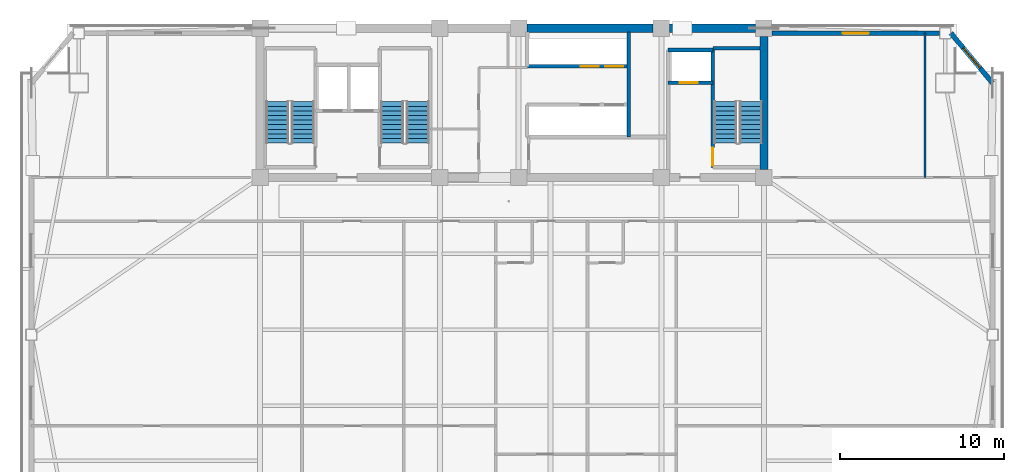
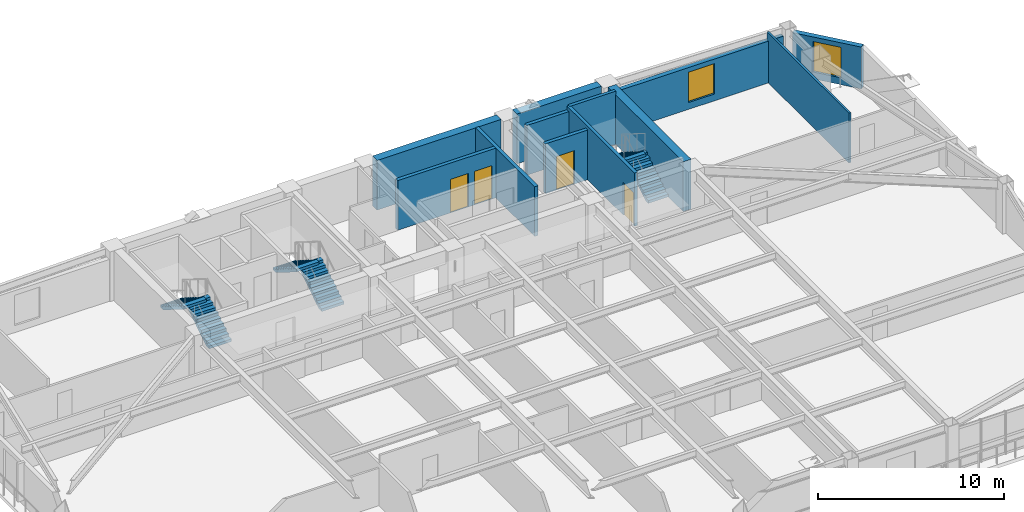
# One storey, part 10 of 15: 12 walls, 6 stair flights, 4 doors, 2 windows, 6 openings, 3 elements without a shape of their own.
"""IFC4 building model written with IfcOpenShell, lengths in metres."""

from ifc_helpers import new_model, si_unit, direction, frame, frame_2d, origin, place, context, subcontext, project, spatial, polyline, rectangle, outline, extrude, source, transform, mapped, material, layer, layer_set, type_object, element, fill, aggregate, save


model = new_model("IFC4")

# Units and contexts
model_context = context("Model", 3, precision=1e-05, world=origin(), true_north=direction((0.0, 1.0)))
body_context = subcontext(model_context, "Body", "Model", "MODEL_VIEW")
ifc_project = project(units=[si_unit("LENGTHUNIT", "METRE"), si_unit("AREAUNIT", "SQUARE_METRE"), si_unit("VOLUMEUNIT", "CUBIC_METRE"), si_unit("PLANEANGLEUNIT", "RADIAN"), si_unit("MASSUNIT", "GRAM", prefix="KILO")], contexts=[model_context])

# Site, building, storey
site_placement = place(None, origin())
site = spatial("IfcSite", under=ifc_project, at=site_placement, CompositionType="ELEMENT")
building_placement = place(site_placement, origin())
building = spatial("IfcBuilding", under=site, at=building_placement, Name="Giltprow Tower", CompositionType="ELEMENT")
storey_placement = place(building_placement, frame((0.0, 0.0, 170.199951171875)))
storey = spatial("IfcBuildingStorey", under=building, at=storey_placement, Name="L42", CompositionType="ELEMENT", Elevation=170.199951171875)

# Wall, opening, window
ifc_material_1 = material(Name="Precast concrete C40", Category="concrete")
ifc_layer_1 = layer(ifc_material_1, 0.300048828125, Name="Precast concrete C40")
ifc_layer_set_1 = layer_set([ifc_layer_1], Name="Precast concrete C40")
wall_type_1 = type_object("IfcWallType", Name="EW-NOTCH-CHAMFER-300", PredefinedType="SOLIDWALL", material=ifc_layer_set_1)
wall_1_placement = place(storey_placement, frame((64.48095703125, 43.212890625, 0.0), z_axis=(0.0, 0.0, 1.0), x_axis=(-0.641069950716, 0.767482454711, 0.0)))
wall_1 = element("IfcWall", 1, at=wall_1_placement, inside=storey, type_object=wall_type_1, Name="L42 Corner Notch Wall NE", PredefinedType="SOLIDWALL", context=body_context, shape_type="SweptSolid", body=[
    extrude(rectangle(XDim=3.957275390625, YDim=0.300048828125, at=frame_2d((1.978515625, 0.0))), origin(), (0.0, 0.0, 1.0), 2.75),
])
opening_1_placement = place(wall_1_placement, frame((1.178955078125, 0.0, 0.449951171875)))
opening_1 = element("IfcOpeningElement", 2, at=opening_1_placement, cuts=wall_1, Name="Opening WN17", PredefinedType="OPENING", context=body_context, shape_type="SweptSolid", body=[
    extrude(rectangle(XDim=1.60009765625, YDim=2.0, at=frame_2d((0.800048828125, 1.0))), frame((0.0, 0.159912109375, 0.0), z_axis=(0.0, -1.0, 0.0), x_axis=(1.0, 0.0, 0.0)), (0.0, 0.0, 1.0), 0.320068359375),
])
ifc_material_2 = material(Name="Insulated glass", Category="glass")
window_type = type_object("IfcWindowType", Name="WN-COR-1600x2000", PartitioningType="SINGLE_PANEL", PredefinedType="WINDOW", material=ifc_material_2)
shared_shape_1 = source(origin(), body_context, "Body", "SweptSolid", [
    extrude(rectangle(XDim=1.60009765625, YDim=2.0, at=frame_2d((0.800048828125, 1.0))), frame((0.0, 0.030029296875, 0.0), z_axis=(0.0, -1.0, 0.0), x_axis=(1.0, 0.0, 0.0)), (0.0, 0.0, 1.0), 0.06005859375),
])
window_1_placement = place(opening_1_placement, origin())
window_1 = element("IfcWindow", 3, at=window_1_placement, inside=storey, type_object=window_type, Name="L42 Corner Notch Window NE", OverallHeight=2.0, OverallWidth=1.60009765625, PartitioningType="SINGLE_PANEL", PredefinedType="WINDOW", context=body_context, shape_type="MappedRepresentation", body=[
    mapped(shared_shape_1, transform((0.0, 0.0, 0.0), x_axis=(1.0, 0.0, 0.0), y_axis=(0.0, 1.0, 0.0), z_axis=(0.0, 0.0, 1.0), scale=1.0)),
])
fill(opening_1, window_1)

ifc_layer_2 = layer(ifc_material_1, 0.280029296875, Name="Precast concrete C40")
ifc_layer_set_2 = layer_set([ifc_layer_2], Name="Precast concrete C40")
wall_type_2 = type_object("IfcWallType", Name="EW-TOW-BRONZE-280", PredefinedType="SOLIDWALL", material=ifc_layer_set_2)
wall_2_placement = place(storey_placement, frame((51.050048828125, 46.25, 0.0), z_axis=(0.0, 0.0, 1.0), x_axis=(1.0, 0.0, 0.0)))
wall_2 = element("IfcWall", 4, at=wall_2_placement, inside=storey, type_object=wall_type_2, Name="L42 North-East Wing Wall", PredefinedType="SOLIDWALL", context=body_context, shape_type="SweptSolid", body=[
    extrude(rectangle(XDim=10.19384765625, YDim=0.280029296875, at=frame_2d((5.096923828125, 0.0))), origin(), (0.0, 0.0, 1.0), 2.75),
])
opening_2_placement = place(wall_2_placement, frame((4.297119140625, 0.0, 0.449951171875)))
opening_2 = element("IfcOpeningElement", 5, at=opening_2_placement, cuts=wall_2, Name="Opening WN17", PredefinedType="OPENING", context=body_context, shape_type="SweptSolid", body=[
    extrude(rectangle(XDim=1.60009765625, YDim=2.0, at=frame_2d((0.800048828125, 1.0))), frame((0.0, 0.14990234375, 0.0), z_axis=(0.0, -1.0, 0.0), x_axis=(1.0, 0.0, 0.0)), (0.0, 0.0, 1.0), 0.300048828125),
])
window_2_placement = place(opening_2_placement, origin())
window_2 = element("IfcWindow", 6, at=window_2_placement, inside=storey, type_object=window_type, Name="L42 North-East Window", OverallHeight=2.0, OverallWidth=1.60009765625, PartitioningType="SINGLE_PANEL", PredefinedType="WINDOW", context=body_context, shape_type="MappedRepresentation", body=[
    mapped(shared_shape_1, transform((0.0, 0.0, 0.0), x_axis=(1.0, 0.0, 0.0), y_axis=(0.0, 1.0, 0.0), z_axis=(0.0, 0.0, 1.0), scale=1.0)),
])
fill(opening_2, window_2)

# Wall, opening, door
ifc_material_3 = material(Name="Concrete C40", Category="concrete")
ifc_layer_3 = layer(ifc_material_3, 0.219970703125, Name="Concrete C40")
ifc_layer_set_3 = layer_set([ifc_layer_3], Name="Concrete C40")
wall_type_3 = type_object("IfcWallType", Name="IW-SHAFT-220", PredefinedType="SOLIDWALL", material=ifc_layer_set_3)
wall_3_placement = place(storey_placement, frame((44.719970703125, 43.219970703125, 0.0), z_axis=(0.0, 0.0, 1.0), x_axis=(1.0, 0.0, 0.0)))
wall_3 = element("IfcWall", 7, at=wall_3_placement, inside=storey, type_object=wall_type_3, Name="L42 FFL2 Front Shaft Wall", PredefinedType="SOLIDWALL", context=body_context, shape_type="SweptSolid", body=[
    extrude(rectangle(XDim=2.719970703125, YDim=0.219970703125, at=frame_2d((1.35986328125, 0.0))), origin(), (0.0, 0.0, 1.0), 3.27001953125),
])
opening_3_placement = place(wall_3_placement, frame((0.699951171875, 0.0, 0.0)))
opening_3 = element("IfcOpeningElement", 8, at=opening_3_placement, cuts=wall_3, Name="Opening LD-11", PredefinedType="OPENING", context=body_context, shape_type="SweptSolid", body=[
    extrude(rectangle(XDim=1.10009765625, YDim=2.199951171875, at=frame_2d((0.550048828125, 1.10009765625))), frame((0.0, 0.119873046875, 0.0), z_axis=(0.0, -1.0, 0.0), x_axis=(1.0, 0.0, 0.0)), (0.0, 0.0, 1.0), 0.239990234375),
])
ifc_material_4 = material(Name="Stainless steel", Category="steel")
door_type_1 = type_object("IfcDoorType", Name="DR-LIFT-LD1100", OperationType="SLIDING_TO_LEFT", PredefinedType="DOOR", material=ifc_material_4)
shared_shape_2 = source(origin(), body_context, "Body", "SweptSolid", [
    extrude(rectangle(XDim=1.10009765625, YDim=2.199951171875, at=frame_2d((0.550048828125, 1.10009765625))), frame((0.0, 0.02490234375, 0.0), z_axis=(0.0, -1.0, 0.0), x_axis=(1.0, 0.0, 0.0)), (0.0, 0.0, 1.0), 0.050048828125),
])
door_1_placement = place(opening_3_placement, origin())
door_1 = element("IfcDoor", 9, at=door_1_placement, inside=storey, type_object=door_type_1, Name="L42 FFL2 Landing Door", OperationType="SLIDING_TO_LEFT", OverallHeight=2.199951171875, OverallWidth=1.10009765625, PredefinedType="DOOR", context=body_context, shape_type="MappedRepresentation", body=[
    mapped(shared_shape_2, transform((0.0, 0.0, 0.0), x_axis=(1.0, 0.0, 0.0), y_axis=(0.0, 1.0, 0.0), z_axis=(0.0, 0.0, 1.0), scale=1.0)),
])
fill(opening_3, door_1)

# Wall
wall_4_placement = place(storey_placement, frame((44.719970703125, 45.219970703125, 0.0), z_axis=(0.0, 0.0, 1.0), x_axis=(1.0, 0.0, 0.0)))
element("IfcWall", 10, at=wall_4_placement, inside=storey, type_object=wall_type_3, Name="L42 FFL2 Back Shaft Wall", PredefinedType="SOLIDWALL", context=body_context, shape_type="SweptSolid", body=[
    extrude(rectangle(XDim=2.719970703125, YDim=0.219970703125, at=frame_2d((1.35986328125, 0.0))), origin(), (0.0, 0.0, 1.0), 3.27001953125),
])

# Wall, openings, doors
wall_5_placement = place(storey_placement, frame((36.1201171875, 44.219970703125, 0.0), z_axis=(0.0, 0.0, 1.0), x_axis=(1.0, 0.0, 0.0)))
wall_5 = element("IfcWall", 11, at=wall_5_placement, inside=storey, type_object=wall_type_3, Name="L42 Mid-Rise Lift Shaft Front Wall N", PredefinedType="SOLIDWALL", context=body_context, shape_type="SweptSolid", body=[
    extrude(rectangle(XDim=6.199951171875, YDim=0.219970703125, at=frame_2d((3.10009765625, 0.0))), origin(), (0.0, 0.0, 1.0), 3.27001953125),
])
opening_4_placement = place(wall_5_placement, frame((3.280029296875, 0.0, 0.0)))
opening_4 = element("IfcOpeningElement", 12, at=opening_4_placement, cuts=wall_5, Name="Opening LD-11", PredefinedType="OPENING", context=body_context, shape_type="SweptSolid", body=[
    extrude(rectangle(XDim=1.10009765625, YDim=2.199951171875, at=frame_2d((0.550048828125, 1.10009765625))), frame((0.0, 0.119873046875, 0.0), z_axis=(0.0, -1.0, 0.0), x_axis=(1.0, 0.0, 0.0)), (0.0, 0.0, 1.0), 0.239990234375),
])
opening_5_placement = place(wall_5_placement, frame((4.77001953125, 0.0, 0.0)))
opening_5 = element("IfcOpeningElement", 13, at=opening_5_placement, cuts=wall_5, Name="Opening LD-11", PredefinedType="OPENING", context=body_context, shape_type="SweptSolid", body=[
    extrude(rectangle(XDim=1.10009765625, YDim=2.199951171875, at=frame_2d((0.550048828125, 1.10009765625))), frame((0.0, 0.119873046875, 0.0), z_axis=(0.0, -1.0, 0.0), x_axis=(1.0, 0.0, 0.0)), (0.0, 0.0, 1.0), 0.239990234375),
])
door_2_placement = place(opening_4_placement, origin())
door_2 = element("IfcDoor", 14, at=door_2_placement, inside=storey, type_object=door_type_1, Name="L42 PL-M1 Landing Door", OperationType="SLIDING_TO_LEFT", OverallHeight=2.199951171875, OverallWidth=1.10009765625, PredefinedType="DOOR", context=body_context, shape_type="MappedRepresentation", body=[
    mapped(shared_shape_2, transform((0.0, 0.0, 0.0), x_axis=(1.0, 0.0, 0.0), y_axis=(0.0, 1.0, 0.0), z_axis=(0.0, 0.0, 1.0), scale=1.0)),
])
fill(opening_4, door_2)
door_3_placement = place(opening_5_placement, origin())
door_3 = element("IfcDoor", 15, at=door_3_placement, inside=storey, type_object=door_type_1, Name="L42 PL-M2 Landing Door", OperationType="SLIDING_TO_LEFT", OverallHeight=2.199951171875, OverallWidth=1.10009765625, PredefinedType="DOOR", context=body_context, shape_type="MappedRepresentation", body=[
    mapped(shared_shape_2, transform((0.0, 0.0, 0.0), x_axis=(1.0, 0.0, 0.0), y_axis=(0.0, 1.0, 0.0), z_axis=(0.0, 0.0, 1.0), scale=1.0)),
])
fill(opening_5, door_3)

# Wall
wall_6_placement = place(storey_placement, frame((42.320068359375, 39.919921875, 0.0), z_axis=(0.0, 0.0, 1.0), x_axis=(0.0, 1.0, 0.0)))
element("IfcWall", 16, at=wall_6_placement, inside=storey, type_object=wall_type_3, Name="L42 Mid-Rise Lift Bank East Closure", PredefinedType="SOLIDWALL", context=body_context, shape_type="SweptSolid", body=[
    extrude(rectangle(XDim=6.400146484375, YDim=0.219970703125, at=frame_2d((3.2001953125, 0.0))), origin(), (0.0, 0.0, 1.0), 3.27001953125),
])

# Wall, opening, door
ifc_layer_4 = layer(ifc_material_3, 0.199951171875, Name="Concrete C40")
ifc_layer_set_4 = layer_set([ifc_layer_4], Name="Concrete C40")
wall_type_4 = type_object("IfcWallType", Name="IW-STAIR-200", PredefinedType="SOLIDWALL", material=ifc_layer_set_4)
wall_7_placement = place(storey_placement, frame((47.43994140625, 38.070068359375, 0.0), z_axis=(0.0, 0.0, 1.0), x_axis=(0.0, 1.0, 0.0)))
wall_7 = element("IfcWall", 17, at=wall_7_placement, inside=storey, type_object=wall_type_4, Name="L42 Stair ST-3 West Bearing Wall", PredefinedType="SOLIDWALL", context=body_context, shape_type="SweptSolid", body=[
    extrude(rectangle(XDim=7.25, YDim=0.199951171875, at=frame_2d((3.625, 0.0))), origin(), (0.0, 0.0, 1.0), 3.5),
])
opening_6_placement = place(wall_7_placement, frame((0.110107421875, 0.0, 0.0)))
opening_6 = element("IfcOpeningElement", 18, at=opening_6_placement, cuts=wall_7, Name="Opening ID33", PredefinedType="OPENING", context=body_context, shape_type="SweptSolid", body=[
    extrude(rectangle(XDim=1.10009765625, YDim=2.14990234375, at=frame_2d((0.550048828125, 1.074951171875))), frame((0.0, 0.10986328125, 0.0), z_axis=(0.0, -1.0, 0.0), x_axis=(1.0, 0.0, 0.0)), (0.0, 0.0, 1.0), 0.219970703125),
])
ifc_material_5 = material(Name="Steel fire leaf", Category="steel")
door_type_2 = type_object("IfcDoorType", Name="DR-STAIR-1100", OperationType="SINGLE_SWING_LEFT", PredefinedType="DOOR", material=ifc_material_5)
shared_shape_3 = source(origin(), body_context, "Body", "SweptSolid", [
    extrude(rectangle(XDim=1.10009765625, YDim=2.14990234375, at=frame_2d((0.550048828125, 1.074951171875))), frame((0.0, 0.02490234375, 0.0), z_axis=(0.0, -1.0, 0.0), x_axis=(1.0, 0.0, 0.0)), (0.0, 0.0, 1.0), 0.050048828125),
])
door_4_placement = place(opening_6_placement, origin())
door_4 = element("IfcDoor", 19, at=door_4_placement, inside=storey, type_object=door_type_2, Name="L42 Stair ST-3 Fire Door", OperationType="SINGLE_SWING_LEFT", OverallHeight=2.14990234375, OverallWidth=1.10009765625, PredefinedType="DOOR", context=body_context, shape_type="MappedRepresentation", body=[
    mapped(shared_shape_3, transform((0.0, 0.0, 0.0), x_axis=(1.0, 0.0, 0.0), y_axis=(0.0, 1.0, 0.0), z_axis=(0.0, 0.0, 1.0), scale=1.0)),
])
fill(opening_6, door_4)

# Walls
wall_8_placement = place(storey_placement, frame((47.43994140625, 45.320068359375, 0.0), z_axis=(0.0, 0.0, 1.0), x_axis=(1.0, 0.0, 0.0)))
element("IfcWall", 20, at=wall_8_placement, inside=storey, type_object=wall_type_4, Name="L42 Stair ST-3 North Bearing Wall", PredefinedType="SOLIDWALL", context=body_context, shape_type="SweptSolid", body=[
    extrude(rectangle(XDim=2.880126953125, YDim=0.199951171875, at=frame_2d((1.43994140625, 0.0))), origin(), (0.0, 0.0, 1.0), 3.5),
])
ifc_material_6 = material(Name="Concrete C30", Category="concrete")
ifc_layer_5 = layer(ifc_material_6, 0.1298828125, Name="Concrete C30")
ifc_layer_set_5 = layer_set([ifc_layer_5], Name="Concrete C30")
wall_type_5 = type_object("IfcWallType", Name="IW-WET-130", PredefinedType="PARTITIONING", material=ifc_layer_set_5)
wall_9_placement = place(storey_placement, frame((60.3720703125, 37.449951171875, 0.0), z_axis=(0.0, 0.0, 1.0), x_axis=(0.0, 1.0, 0.0)))
element("IfcWall", 21, at=wall_9_placement, inside=storey, type_object=wall_type_5, Name="L42 NE Wing Divider", PredefinedType="PARTITIONING", context=body_context, shape_type="SweptSolid", body=[
    extrude(rectangle(XDim=8.800048828125, YDim=0.1298828125, at=frame_2d((4.39990234375, 0.0))), origin(), (0.0, 0.0, 1.0), 3.27001953125),
])
ifc_material_7 = material(Name="Concrete C50", Category="concrete")
ifc_layer_6 = layer(ifc_material_7, 0.5, Name="Concrete C50")
ifc_layer_set_6 = layer_set([ifc_layer_6], Name="Concrete C50")
wall_type_6 = type_object("IfcWallType", Name="SW-EXT-500-C50", PredefinedType="SHEAR", material=ifc_layer_set_6)
wall_10_placement = place(storey_placement, frame((36.10009765625, 46.550048828125, 0.0), z_axis=(0.0, 0.0, 1.0), x_axis=(1.0, 0.0, 0.0)))
element("IfcWall", 22, at=wall_10_placement, inside=storey, type_object=wall_type_6, Name="L42 North Rear Core Shear Wall 3", PredefinedType="SHEAR", context=body_context, shape_type="SweptSolid", body=[
    extrude(rectangle(XDim=7.699951171875, YDim=0.5, at=frame_2d((3.85009765625, 0.0))), origin(), (0.0, 0.0, 1.0), 3.27001953125),
])
wall_11_placement = place(storey_placement, frame((44.800048828125, 46.550048828125, 0.0), z_axis=(0.0, 0.0, 1.0), x_axis=(1.0, 0.0, 0.0)))
element("IfcWall", 23, at=wall_11_placement, inside=storey, type_object=wall_type_6, Name="L42 North Rear Core Shear Wall 4", PredefinedType="SHEAR", context=body_context, shape_type="SweptSolid", body=[
    extrude(rectangle(XDim=5.25, YDim=0.5, at=frame_2d((2.625, 0.0))), origin(), (0.0, 0.0, 1.0), 3.27001953125),
])
ifc_layer_7 = layer(ifc_material_7, 0.5, Name="Concrete C50")
ifc_layer_set_7 = layer_set([ifc_layer_7], Name="Concrete C50")
wall_type_7 = type_object("IfcWallType", Name="SW-INT-500-C50", PredefinedType="SHEAR", material=ifc_layer_set_7)
wall_12_placement = place(storey_placement, frame((50.550048828125, 37.949951171875, 0.0), z_axis=(0.0, 0.0, 1.0), x_axis=(0.0, 1.0, 0.0)))
element("IfcWall", 24, at=wall_12_placement, inside=storey, type_object=wall_type_7, Name="L42 E Rear Core Shear Wall", PredefinedType="SHEAR", context=body_context, shape_type="SweptSolid", body=[
    extrude(rectangle(XDim=8.10009765625, YDim=0.5, at=frame_2d((4.050048828125, 0.0))), origin(), (0.0, 0.0, 1.0), 3.27001953125),
])

# Stair, stair flights
stair_type_1 = type_object("IfcStairType", Name="STR-ST-1", PredefinedType="HALF_TURN_STAIR", material=ifc_material_3)
stair_1_placement = place(storey_placement, origin())
stair_1 = element("IfcStair", 25, at=stair_1_placement, inside=storey, type_object=stair_type_1, Name="L42 Core Exit Stair ST-1", PredefinedType="HALF_TURN_STAIR")
stair_flight_type_1 = type_object("IfcStairFlightType", Name="SFL-ST-1", PredefinedType="STRAIGHT", material=ifc_material_3)
stair_flight_1_placement = place(storey_placement, frame((22.4599609375, 39.550048828125, 0.0), z_axis=(0.0, 0.0, 1.0), x_axis=(0.0, 1.0, 0.0)))
stair_flight_1 = element("IfcStairFlight", 26, at=stair_flight_1_placement, type_object=stair_flight_type_1, Name="ST-1 flight 1", NumberOfRisers=10, NumberOfTreads=9, PredefinedType="STRAIGHT", RiserHeight=0.175, TreadLength=0.28, context=body_context, shape_type="SweptSolid", body=[
    extrude(outline(polyline([(0.0, 0.0), (0.0, 0.175048828125), (0.280029296875, 0.175048828125), (0.280029296875, 0.35009765625), (0.56005859375, 0.35009765625), (0.56005859375, 0.52490234375), (0.840087890625, 0.52490234375), (0.840087890625, 0.699951171875), (1.1201171875, 0.699951171875), (1.1201171875, 0.875), (1.39990234375, 0.875), (1.39990234375, 1.050048828125), (1.679931640625, 1.050048828125), (1.679931640625, 1.22509765625), (1.9599609375, 1.22509765625), (1.9599609375, 1.39990234375), (2.239990234375, 1.39990234375), (2.239990234375, 1.574951171875), (2.52001953125, 1.574951171875), (2.52001953125, 1.75), (2.52001953125, 1.398193359375), (0.28271484375, 0.0), (0.0, 0.0)])), frame((0.0, 0.699951171875, 0.0), z_axis=(0.0, -1.0, 0.0), x_axis=(1.0, 0.0, 0.0)), (0.0, 0.0, 1.0), 1.39990234375),
])
stair_flight_2_placement = place(storey_placement, frame((20.89990234375, 42.070068359375, 1.75), z_axis=(0.0, 0.0, 1.0), x_axis=(0.0, -1.0, 0.0)))
stair_flight_2 = element("IfcStairFlight", 27, at=stair_flight_2_placement, type_object=stair_flight_type_1, Name="ST-1 flight 2", NumberOfRisers=10, NumberOfTreads=9, PredefinedType="STRAIGHT", RiserHeight=0.175, TreadLength=0.28, context=body_context, shape_type="SweptSolid", body=[
    extrude(outline(polyline([(0.0, 0.0), (0.0, 0.175048828125), (0.280029296875, 0.175048828125), (0.280029296875, 0.35009765625), (0.56005859375, 0.35009765625), (0.56005859375, 0.52490234375), (0.840087890625, 0.52490234375), (0.840087890625, 0.699951171875), (1.1201171875, 0.699951171875), (1.1201171875, 0.875), (1.39990234375, 0.875), (1.39990234375, 1.050048828125), (1.679931640625, 1.050048828125), (1.679931640625, 1.22509765625), (1.9599609375, 1.22509765625), (1.9599609375, 1.39990234375), (2.239990234375, 1.39990234375), (2.239990234375, 1.574951171875), (2.52001953125, 1.574951171875), (2.52001953125, 1.75), (2.52001953125, 1.398193359375), (0.28271484375, 0.0), (0.0, 0.0)])), frame((0.0, 0.699951171875, 0.0), z_axis=(0.0, -1.0, 0.0), x_axis=(1.0, 0.0, 0.0)), (0.0, 0.0, 1.0), 1.39990234375),
])
aggregate(stair_1, [stair_flight_1, stair_flight_2])

stair_type_2 = type_object("IfcStairType", Name="STR-ST-2", PredefinedType="HALF_TURN_STAIR", material=ifc_material_3)
stair_2_placement = place(storey_placement, origin())
stair_2 = element("IfcStair", 28, at=stair_2_placement, inside=storey, type_object=stair_type_2, Name="L42 Core Exit Stair ST-2", PredefinedType="HALF_TURN_STAIR")
stair_flight_type_2 = type_object("IfcStairFlightType", Name="SFL-ST-2", PredefinedType="STRAIGHT", material=ifc_material_3)
stair_flight_3_placement = place(storey_placement, frame((29.4599609375, 39.550048828125, 0.0), z_axis=(0.0, 0.0, 1.0), x_axis=(0.0, 1.0, 0.0)))
stair_flight_3 = element("IfcStairFlight", 29, at=stair_flight_3_placement, type_object=stair_flight_type_2, Name="ST-2 flight 1", NumberOfRisers=10, NumberOfTreads=9, PredefinedType="STRAIGHT", RiserHeight=0.175, TreadLength=0.28, context=body_context, shape_type="SweptSolid", body=[
    extrude(outline(polyline([(0.0, 0.0), (0.0, 0.175048828125), (0.280029296875, 0.175048828125), (0.280029296875, 0.35009765625), (0.56005859375, 0.35009765625), (0.56005859375, 0.52490234375), (0.840087890625, 0.52490234375), (0.840087890625, 0.699951171875), (1.1201171875, 0.699951171875), (1.1201171875, 0.875), (1.39990234375, 0.875), (1.39990234375, 1.050048828125), (1.679931640625, 1.050048828125), (1.679931640625, 1.22509765625), (1.9599609375, 1.22509765625), (1.9599609375, 1.39990234375), (2.239990234375, 1.39990234375), (2.239990234375, 1.574951171875), (2.52001953125, 1.574951171875), (2.52001953125, 1.75), (2.52001953125, 1.398193359375), (0.28271484375, 0.0), (0.0, 0.0)])), frame((0.0, 0.699951171875, 0.0), z_axis=(0.0, -1.0, 0.0), x_axis=(1.0, 0.0, 0.0)), (0.0, 0.0, 1.0), 1.39990234375),
])
stair_flight_4_placement = place(storey_placement, frame((27.89990234375, 42.070068359375, 1.75), z_axis=(0.0, 0.0, 1.0), x_axis=(0.0, -1.0, 0.0)))
stair_flight_4 = element("IfcStairFlight", 30, at=stair_flight_4_placement, type_object=stair_flight_type_2, Name="ST-2 flight 2", NumberOfRisers=10, NumberOfTreads=9, PredefinedType="STRAIGHT", RiserHeight=0.175, TreadLength=0.28, context=body_context, shape_type="SweptSolid", body=[
    extrude(outline(polyline([(0.0, 0.0), (0.0, 0.175048828125), (0.280029296875, 0.175048828125), (0.280029296875, 0.35009765625), (0.56005859375, 0.35009765625), (0.56005859375, 0.52490234375), (0.840087890625, 0.52490234375), (0.840087890625, 0.699951171875), (1.1201171875, 0.699951171875), (1.1201171875, 0.875), (1.39990234375, 0.875), (1.39990234375, 1.050048828125), (1.679931640625, 1.050048828125), (1.679931640625, 1.22509765625), (1.9599609375, 1.22509765625), (1.9599609375, 1.39990234375), (2.239990234375, 1.39990234375), (2.239990234375, 1.574951171875), (2.52001953125, 1.574951171875), (2.52001953125, 1.75), (2.52001953125, 1.398193359375), (0.28271484375, 0.0), (0.0, 0.0)])), frame((0.0, 0.699951171875, 0.0), z_axis=(0.0, -1.0, 0.0), x_axis=(1.0, 0.0, 0.0)), (0.0, 0.0, 1.0), 1.39990234375),
])
aggregate(stair_2, [stair_flight_3, stair_flight_4])

stair_type_3 = type_object("IfcStairType", Name="STR-ST-3", PredefinedType="HALF_TURN_STAIR", material=ifc_material_3)
stair_3_placement = place(storey_placement, origin())
stair_3 = element("IfcStair", 31, at=stair_3_placement, inside=storey, type_object=stair_type_3, Name="L42 Core Exit Stair ST-3", PredefinedType="HALF_TURN_STAIR")
stair_flight_type_3 = type_object("IfcStairFlightType", Name="SFL-ST-3", PredefinedType="STRAIGHT", material=ifc_material_3)
stair_flight_5_placement = place(storey_placement, frame((49.760009765625, 39.550048828125, 0.0), z_axis=(0.0, 0.0, 1.0), x_axis=(0.0, 1.0, 0.0)))
stair_flight_5 = element("IfcStairFlight", 32, at=stair_flight_5_placement, type_object=stair_flight_type_3, Name="ST-3 flight 1", NumberOfRisers=10, NumberOfTreads=9, PredefinedType="STRAIGHT", RiserHeight=0.175, TreadLength=0.28, context=body_context, shape_type="SweptSolid", body=[
    extrude(outline(polyline([(0.0, 0.0), (0.0, 0.175048828125), (0.280029296875, 0.175048828125), (0.280029296875, 0.35009765625), (0.56005859375, 0.35009765625), (0.56005859375, 0.52490234375), (0.840087890625, 0.52490234375), (0.840087890625, 0.699951171875), (1.1201171875, 0.699951171875), (1.1201171875, 0.875), (1.39990234375, 0.875), (1.39990234375, 1.050048828125), (1.679931640625, 1.050048828125), (1.679931640625, 1.22509765625), (1.9599609375, 1.22509765625), (1.9599609375, 1.39990234375), (2.239990234375, 1.39990234375), (2.239990234375, 1.574951171875), (2.52001953125, 1.574951171875), (2.52001953125, 1.75), (2.52001953125, 1.398193359375), (0.28271484375, 0.0), (0.0, 0.0)])), frame((0.0, 0.699951171875, 0.0), z_axis=(0.0, -1.0, 0.0), x_axis=(1.0, 0.0, 0.0)), (0.0, 0.0, 1.0), 1.39990234375),
])
stair_flight_6_placement = place(storey_placement, frame((48.199951171875, 42.070068359375, 1.75), z_axis=(0.0, 0.0, 1.0), x_axis=(0.0, -1.0, 0.0)))
stair_flight_6 = element("IfcStairFlight", 33, at=stair_flight_6_placement, type_object=stair_flight_type_3, Name="ST-3 flight 2", NumberOfRisers=10, NumberOfTreads=9, PredefinedType="STRAIGHT", RiserHeight=0.175, TreadLength=0.28, context=body_context, shape_type="SweptSolid", body=[
    extrude(outline(polyline([(0.0, 0.0), (0.0, 0.175048828125), (0.280029296875, 0.175048828125), (0.280029296875, 0.35009765625), (0.56005859375, 0.35009765625), (0.56005859375, 0.52490234375), (0.840087890625, 0.52490234375), (0.840087890625, 0.699951171875), (1.1201171875, 0.699951171875), (1.1201171875, 0.875), (1.39990234375, 0.875), (1.39990234375, 1.050048828125), (1.679931640625, 1.050048828125), (1.679931640625, 1.22509765625), (1.9599609375, 1.22509765625), (1.9599609375, 1.39990234375), (2.239990234375, 1.39990234375), (2.239990234375, 1.574951171875), (2.52001953125, 1.574951171875), (2.52001953125, 1.75), (2.52001953125, 1.398193359375), (0.28271484375, 0.0), (0.0, 0.0)])), frame((0.0, 0.699951171875, 0.0), z_axis=(0.0, -1.0, 0.0), x_axis=(1.0, 0.0, 0.0)), (0.0, 0.0, 1.0), 1.39990234375),
])
aggregate(stair_3, [stair_flight_5, stair_flight_6])

save(model, "model.ifc")
